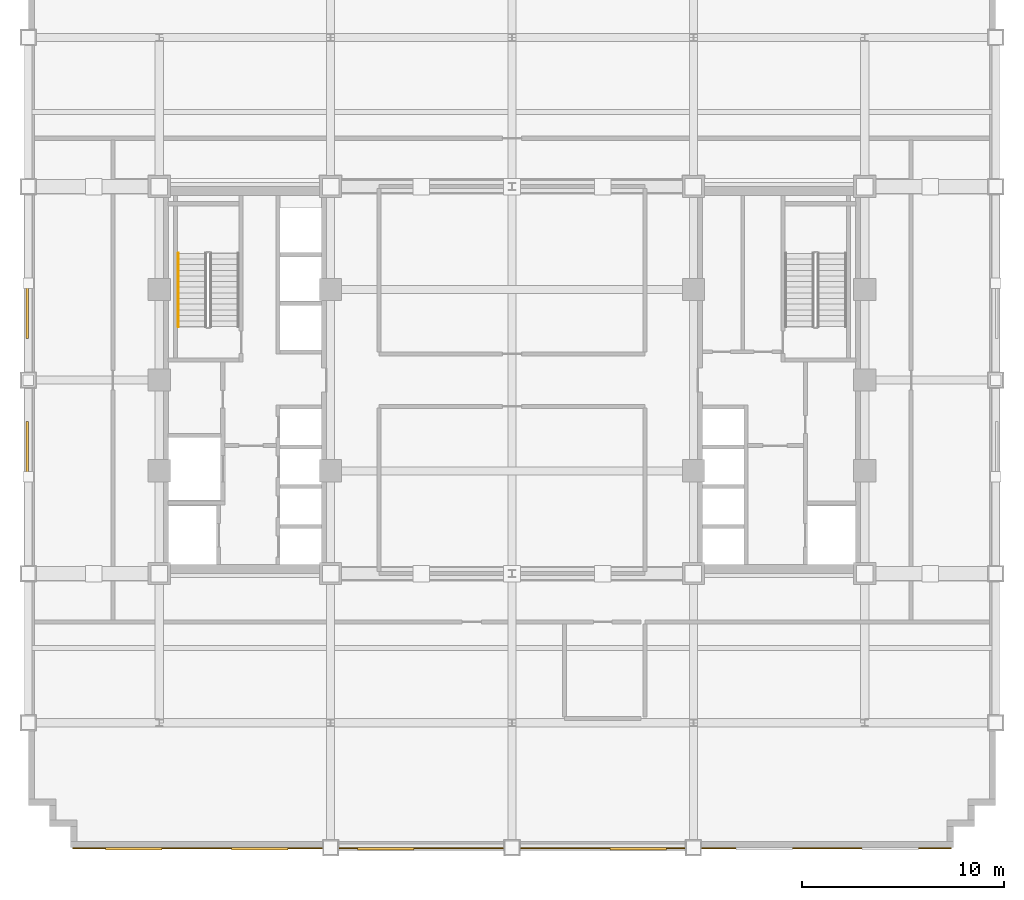
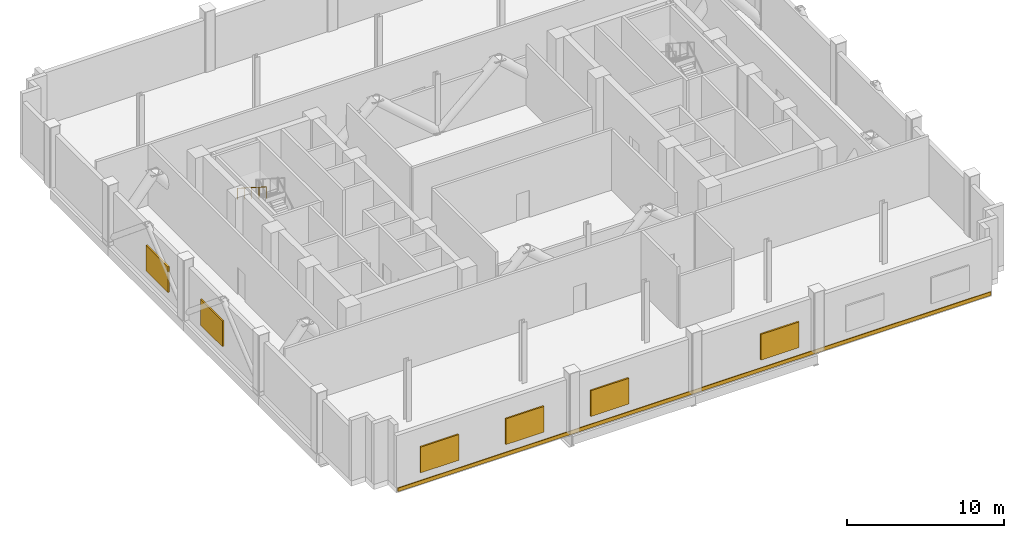
# One storey, part 9 of 12: 6 shading devices, 1 covering, 1 railing.
"""IFC4 building model written with IfcOpenShell, lengths in metres."""

import ifcopenshell
import ifcopenshell.guid

model = None  # the IFC model being written
_history = None  # IfcOwnerHistory: only IFC2X3 demands one
_inside = {}  # id of a spatial element -> (the spatial element, [elements in it])
_under = {}  # id of a project, library or spatial element -> (it, [spatial elements below it])
_declared = {}  # id of a project -> (the project, [libraries it declares])
_typed = {}  # id of a type object -> (the type object, [elements of that type])
_made_of = {}  # id of a material, layer set ... -> (it, [elements and type objects made of it])


def new_model(schema):
    """Start an empty IFC model of exactly this schema.

    Asked for "IFC4X3", IfcOpenShell would pick the latest addendum, in which some entities
    have other attributes; the version numbers below select the first issue.
    IFC2X3 requires an IfcOwnerHistory on every rooted entity: one is made here for all.
    """
    global model, _history
    if schema == "IFC4X3":
        model = ifcopenshell.file(schema_version=(4, 3, 0, 0))
    else:
        model = ifcopenshell.file(schema=schema)
    _inside.clear()
    _under.clear()
    _declared.clear()
    _typed.clear()
    _made_of.clear()
    _history = None
    if model.schema == "IFC2X3":
        org = make("IfcOrganization", Name="unknown")
        user = make(
            "IfcPersonAndOrganization",
            ThePerson=make("IfcPerson", FamilyName="unknown"),
            TheOrganization=org,
        )
        app = make(
            "IfcApplication",
            ApplicationDeveloper=org,
            Version="unknown",
            ApplicationFullName="unknown",
            ApplicationIdentifier="unknown",
        )
        _history = make(
            "IfcOwnerHistory",
            OwningUser=user,
            OwningApplication=app,
            ChangeAction="ADDED",
            CreationDate=0,
        )
    return model


def make(cls, **values):
    """One entity of the class cls with the attributes given. An attribute that is None is left unset."""
    return model.create_entity(
        cls, **{name: value for name, value in values.items() if value is not None}
    )


def rooted(cls, **values):
    """An entity with a GlobalId (a new one), such as an element, a storey or a relation."""
    return make(cls, GlobalId=ifcopenshell.guid.new(), OwnerHistory=_history, **values)


def si_unit(unit_type, name, prefix=None):
    """IfcSIUnit, for example si_unit("LENGTHUNIT", "METRE", prefix="MILLI")."""
    return make("IfcSIUnit", UnitType=unit_type, Prefix=prefix, Name=name)


def assignment(units):
    """IfcUnitAssignment: the units of a project."""
    return None if units is None else make("IfcUnitAssignment", Units=units)


def point(xyz):
    """IfcCartesianPoint."""
    return None if xyz is None else make("IfcCartesianPoint", Coordinates=xyz)


def direction(xyz):
    """IfcDirection."""
    return None if xyz is None else make("IfcDirection", DirectionRatios=xyz)


def frame(location, z_axis=None, x_axis=None):
    """IfcAxis2Placement3D, a coordinate frame: its origin and axes. An axis left out is left unset."""
    return make(
        "IfcAxis2Placement3D",
        Location=point(location),
        Axis=direction(z_axis),
        RefDirection=direction(x_axis),
    )


def frame_2d(location, x_axis=None):
    """IfcAxis2Placement2D, a coordinate frame in the plane: its origin and x axis."""
    return make(
        "IfcAxis2Placement2D", Location=point(location), RefDirection=direction(x_axis)
    )


def origin():
    """The frame at (0, 0, 0) with its axes left unset."""
    return frame((0.0, 0.0, 0.0))


def origin_2d():
    """The frame at (0, 0) in the plane with its x axis left unset."""
    return frame_2d((0.0, 0.0))


def place(relative_to, where):
    """IfcLocalPlacement: puts the frame where relative to a parent placement (None: the world)."""
    return make(
        "IfcLocalPlacement", PlacementRelTo=relative_to, RelativePlacement=where
    )


def context(
    kind, dimensions, precision=None, world=None, true_north=None, identifier=None
):
    """IfcGeometricRepresentationContext, for example the 3D "Model" context."""
    return make(
        "IfcGeometricRepresentationContext",
        ContextIdentifier=identifier,
        ContextType=kind,
        CoordinateSpaceDimension=dimensions,
        Precision=precision,
        WorldCoordinateSystem=world,
        TrueNorth=true_north,
    )


def subcontext(parent, identifier, kind, view, scale=None):
    """IfcGeometricRepresentationSubContext, for example "Body" below "Model"."""
    return make(
        "IfcGeometricRepresentationSubContext",
        ContextIdentifier=identifier,
        ContextType=kind,
        ParentContext=parent,
        TargetScale=scale,
        TargetView=view,
    )


def project(units=None, contexts=None):
    """IfcProject with its units and contexts."""
    return rooted(
        "IfcProject",
        Name="project",
        RepresentationContexts=contexts,
        UnitsInContext=assignment(units),
    )


def spatial(cls, under=None, at=None, **own):
    """A site, building, storey or space (cls), placed at a placement, below another one or the project."""
    s = rooted(cls, ObjectPlacement=at, **own)
    if under is not None:
        _under.setdefault(under.id(), (under, []))[1].append(s)
    return s


def profile(cls, at=None, kind="AREA", **sizes):
    """A parametric profile (cls). Its sizes go by their IFC names, for example OverallWidth=200.0."""
    return make(cls, ProfileType=kind, Position=at, **sizes)


def rectangle(**sizes):
    """IfcRectangleProfileDef."""
    return profile("IfcRectangleProfileDef", **sizes)


def circle(**sizes):
    """IfcCircleProfileDef."""
    return profile("IfcCircleProfileDef", **sizes)


def extrude(swept, where, along, depth):
    """IfcExtrudedAreaSolid: the profile swept, set in the frame where, extruded along a direction by depth."""
    return make(
        "IfcExtrudedAreaSolid",
        SweptArea=swept,
        Position=where,
        ExtrudedDirection=direction(along),
        Depth=depth,
    )


def shape(context_of_items, identifier, shape_type, items):
    """IfcShapeRepresentation: the items that make up one representation, for example the "Body"."""
    return make(
        "IfcShapeRepresentation",
        ContextOfItems=context_of_items,
        RepresentationIdentifier=identifier,
        RepresentationType=shape_type,
        Items=items,
    )


def source(mapping_origin, context_of_items, identifier, shape_type, items):
    """IfcRepresentationMap: a shape defined once, which mapped items show again and again."""
    return make(
        "IfcRepresentationMap",
        MappingOrigin=mapping_origin,
        MappedRepresentation=shape(context_of_items, identifier, shape_type, items),
    )


def transform(
    local_origin,
    x_axis=None,
    y_axis=None,
    z_axis=None,
    scale=None,
    scale2=None,
    scale3=None,
    uniform=True,
):
    """IfcCartesianTransformationOperator3D, or its non-uniform kind. x_axis, y_axis, z_axis: its Axis1, 2, 3."""
    if uniform:
        return make(
            "IfcCartesianTransformationOperator3D",
            Axis1=direction(x_axis),
            Axis2=direction(y_axis),
            LocalOrigin=point(local_origin),
            Scale=scale,
            Axis3=direction(z_axis),
        )
    return make(
        "IfcCartesianTransformationOperator3DnonUniform",
        Axis1=direction(x_axis),
        Axis2=direction(y_axis),
        LocalOrigin=point(local_origin),
        Scale=scale,
        Axis3=direction(z_axis),
        Scale2=scale2,
        Scale3=scale3,
    )


def mapped(mapping_source, mapping_target):
    """IfcMappedItem: shows the shape of a source again, moved by a transform."""
    return make(
        "IfcMappedItem", MappingSource=mapping_source, MappingTarget=mapping_target
    )


def material(Name=None, Category=None):
    """IfcMaterial."""
    return make("IfcMaterial", Name=Name, Category=Category)


def layer(
    of_material, thickness, ventilated=None, Name=None, Category=None, Priority=None
):
    """IfcMaterialLayer: one layer of a wall or slab, of a material (None: an air gap)."""
    return make(
        "IfcMaterialLayer",
        Material=of_material,
        LayerThickness=thickness,
        IsVentilated=ventilated,
        Name=Name,
        Category=Category,
        Priority=Priority,
    )


def layer_set(layers, Name=None):
    """IfcMaterialLayerSet."""
    return make("IfcMaterialLayerSet", MaterialLayers=layers, LayerSetName=Name)


def made_of(thing, what):
    """Note that an element or type object is made of a material, layer set ...; save() writes the relation."""
    if what is not None:
        _made_of.setdefault(what.id(), (what, []))[1].append(thing)
    return thing


def type_object(cls, material=None, **own):
    """A type object (cls), such as IfcWallType, which elements share."""
    return made_of(rooted(cls, **own), material)


def type_shapes(of_type, sources):
    """Give a type object the sources (RepresentationMaps) that its elements show as mapped items."""
    of_type.RepresentationMaps = sources


def element(
    cls,
    number,
    at=None,
    inside=None,
    cuts=None,
    type_object=None,
    material=None,
    context=None,
    identifier="Body",
    shape_type=None,
    held_by="IfcProductDefinitionShape",
    body=None,
    shapes=None,
    **own,
):
    """One element of the class cls, such as IfcWall. Its Tag is "e" and its number.

    at: its placement. inside: the storey or other place that contains it. cuts: it is an
    opening in that element (IfcRelVoidsElement). A single representation is given by context,
    identifier, shape_type and body (its items); several are given by shapes. held_by: the class
    of the entity that holds the representations. save() writes the other relations.
    """
    e = rooted(cls, Tag="e%d" % number, ObjectPlacement=at, **own)
    if body is not None:
        shapes = [shape(context, identifier, shape_type, body)]
    if shapes is not None:
        e.Representation = make(held_by, Representations=shapes)
    if inside is not None:
        _inside.setdefault(inside.id(), (inside, []))[1].append(e)
    if cuts is not None:
        rooted(
            "IfcRelVoidsElement", RelatingBuildingElement=cuts, RelatedOpeningElement=e
        )
    if type_object is not None:
        _typed.setdefault(type_object.id(), (type_object, []))[1].append(e)
    return made_of(e, material)


def aggregate(whole, parts):
    """IfcRelAggregates: a whole, such as a stair, and the parts it consists of."""
    return rooted("IfcRelAggregates", RelatingObject=whole, RelatedObjects=parts)


def save(model, path):
    """Write the relations noted so far, then the file.

    IfcRelAggregates (storeys below a building ...), IfcRelContainedInSpatialStructure (elements
    in a storey), IfcRelDefinesByType, IfcRelAssociatesMaterial and IfcRelDeclares: one each for
    every whole, place, type object, material and project.
    """
    for whole, parts in _under.values():
        aggregate(whole, parts)
    for where, things in _inside.values():
        rooted(
            "IfcRelContainedInSpatialStructure",
            RelatedElements=things,
            RelatingStructure=where,
        )
    for kind, things in _typed.values():
        rooted("IfcRelDefinesByType", RelatedObjects=things, RelatingType=kind)
    for what, things in _made_of.values():
        rooted("IfcRelAssociatesMaterial", RelatedObjects=things, RelatingMaterial=what)
    for by, libraries in _declared.values():
        rooted("IfcRelDeclares", RelatingContext=by, RelatedDefinitions=libraries)
    model.write(path)


model = new_model("IFC4")

# Units and contexts
model_context = context("Model", 3, precision=1e-05, world=origin(), true_north=direction((0.0, 1.0)))
body_context = subcontext(model_context, "Body", "Model", "MODEL_VIEW")
ifc_project = project(units=[si_unit("LENGTHUNIT", "METRE"), si_unit("AREAUNIT", "SQUARE_METRE"), si_unit("VOLUMEUNIT", "CUBIC_METRE"), si_unit("PLANEANGLEUNIT", "RADIAN"), si_unit("MASSUNIT", "GRAM", prefix="KILO")], contexts=[model_context])

# Site, building, storey
site_placement = place(None, origin())
site = spatial("IfcSite", under=ifc_project, at=site_placement, CompositionType="ELEMENT")
building_placement = place(site_placement, origin())
building = spatial("IfcBuilding", under=site, at=building_placement, Name="Nuvemarco Arch Tower", CompositionType="ELEMENT")
storey_placement = place(building_placement, frame((0.0, 0.0, 93.300048828125)))
storey = spatial("IfcBuildingStorey", under=building, at=storey_placement, Name="L24", CompositionType="ELEMENT", Elevation=93.300048828125)

# Railing
ifc_material_1 = material(Name="Brushed stainless steel handrail", Category="steel")
railing_type = type_object("IfcRailingType", Name="RL-HANDRAIL-900", PredefinedType="HANDRAIL", material=ifc_material_1)
railing_placement = place(storey_placement, frame((-16.550048828125, 6.2900390625, 2.678466796875)))
element("IfcRailing", 1, at=railing_placement, inside=storey, type_object=railing_type, Name="L24 ST-1 stair handrail 2", PredefinedType="HANDRAIL", context=body_context, shape_type="SweptSolid", body=[
    extrude(circle(Radius=0.02392578125, at=origin_2d()), frame((0.0, 0.0, 0.8759765625), z_axis=(0.0, -0.843127859045, 0.537713132908), x_axis=(1.0, 0.0, 0.0)), (0.0, 0.0, 1.0), 4.3173828125),
    extrude(circle(Radius=0.02099609375, at=origin_2d()), origin(), (0.0, 0.0, 1.0), 0.851806640625),
    extrude(circle(Radius=0.02099609375, at=origin_2d()), frame((0.0, -0.91015625, 0.580322265625)), (0.0, 0.0, 1.0), 0.851806640625),
    extrude(circle(Radius=0.02099609375, at=origin_2d()), frame((0.0, -1.820068359375, 1.16064453125)), (0.0, 0.0, 1.0), 0.851806640625),
    extrude(circle(Radius=0.02099609375, at=origin_2d()), frame((0.0, -2.72998046875, 1.7412109375)), (0.0, 0.0, 1.0), 0.851806640625),
    extrude(circle(Radius=0.02099609375, at=origin_2d()), frame((0.0, -3.64013671875, 2.321533203125)), (0.0, 0.0, 1.0), 0.851806640625),
])

# Covering
ifc_material_2 = material(Name="Precast concrete C45/55", Category="concrete")
ifc_layer = layer(ifc_material_2, 0.06005859375, Name="COV-SPANDREL-CLAD")
ifc_layer_set = layer_set([ifc_layer], Name="Precast concrete C45/55")
covering_type = type_object("IfcCoveringType", Name="COV-SPANDREL-CLAD", PredefinedType="CLADDING", material=ifc_layer_set)
shared_shape_1 = source(origin(), body_context, "Body", "SweptSolid", [
    extrude(rectangle(XDim=43.60009765625, YDim=0.06005859375, at=origin_2d()), origin(), (0.0, 0.0, 1.0), 0.280029296875),
])
type_shapes(covering_type, [shared_shape_1])
covering_placement = place(storey_placement, frame((0.0, -23.22900390625, -0.2802734375), z_axis=(0.0, 0.0, 1.0), x_axis=(1.0, 0.0, 0.0)))
element("IfcCovering", 2, at=covering_placement, inside=storey, type_object=covering_type, Name="L24 precast spandrel edge cladding south", PredefinedType="CLADDING", context=body_context, shape_type="MappedRepresentation", body=[
    mapped(shared_shape_1, transform((0.0, 0.0, 0.0), scale=1.0)),
])

# Shading devices
ifc_material_3 = material(Name="Anodised aluminium 6063-T6", Category="aluminium")
shading_device_type = type_object("IfcShadingDeviceType", Name="SHD-LOUVRE-PLANT", PredefinedType="JALOUSIE", material=ifc_material_3)
shared_shape_2 = source(origin(), body_context, "Body", "SweptSolid", [
    extrude(rectangle(XDim=2.800048828125, YDim=0.1201171875, at=origin_2d()), origin(), (0.0, 0.0, 1.0), 2.0),
])
type_shapes(shading_device_type, [shared_shape_2])
for number, where, z_axis, x_axis, name in (
    (3, (-18.771484375, -23.2548828125, 0.64990234375), (0.0, 0.0, 1.0), (1.0, 0.0, 0.0), "L24 acoustic plant louvre panel 1"),
    (4, (-12.514404296875, -23.2548828125, 0.64990234375), (0.0, 0.0, 1.0), (1.0, 0.0, 0.0), "L24 acoustic plant louvre panel 2"),
    (5, (-6.257080078125, -23.2548828125, 0.64990234375), (0.0, 0.0, 1.0), (1.0, 0.0, 0.0), "L24 acoustic plant louvre panel 3"),
    (6, (6.257080078125, -23.2548828125, 0.64990234375), (0.0, 0.0, 1.0), (1.0, 0.0, 0.0), "L24 acoustic plant louvre panel 5"),
    (7, (-24.054931640625, -3.464111328125, 0.64990234375), (0.0, 0.0, 1.0), (0.0, 1.0, 0.0), "L24 acoustic plant louvre panel 3"),
    (8, (-24.054931640625, 3.464111328125, 0.64990234375), (0.0, 0.0, 1.0), (0.0, 1.0, 0.0), "L24 acoustic plant louvre panel 4"),
):
    element("IfcShadingDevice", number, at=place(storey_placement, frame(where, z_axis=z_axis, x_axis=x_axis)), inside=storey, type_object=shading_device_type, Name=name, PredefinedType="JALOUSIE", context=body_context, shape_type="MappedRepresentation", body=[
        mapped(shared_shape_2, transform((0.0, 0.0, 0.0), scale=1.0)),
    ])

save(model, "model.ifc")
